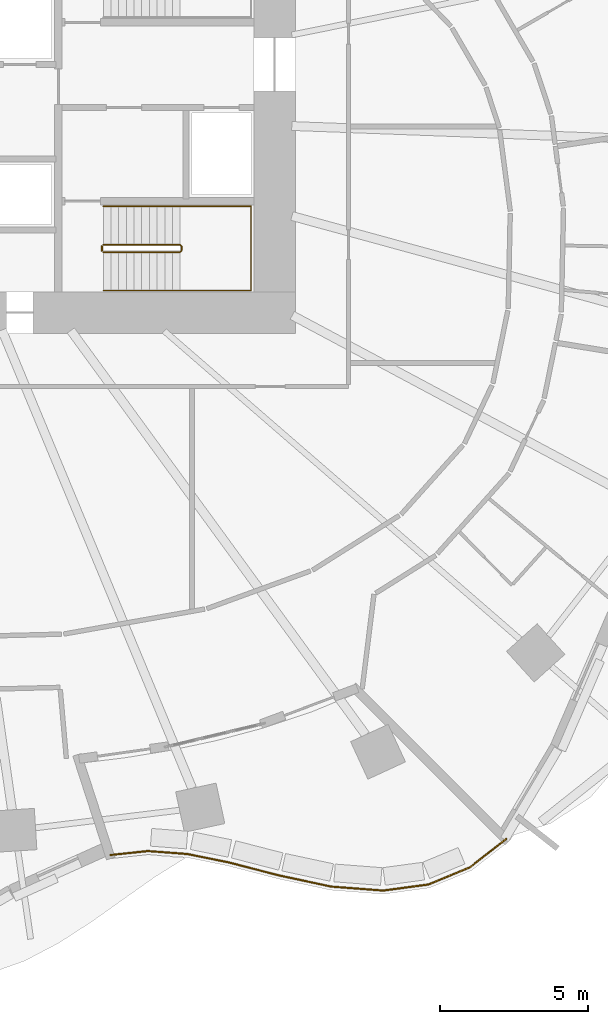
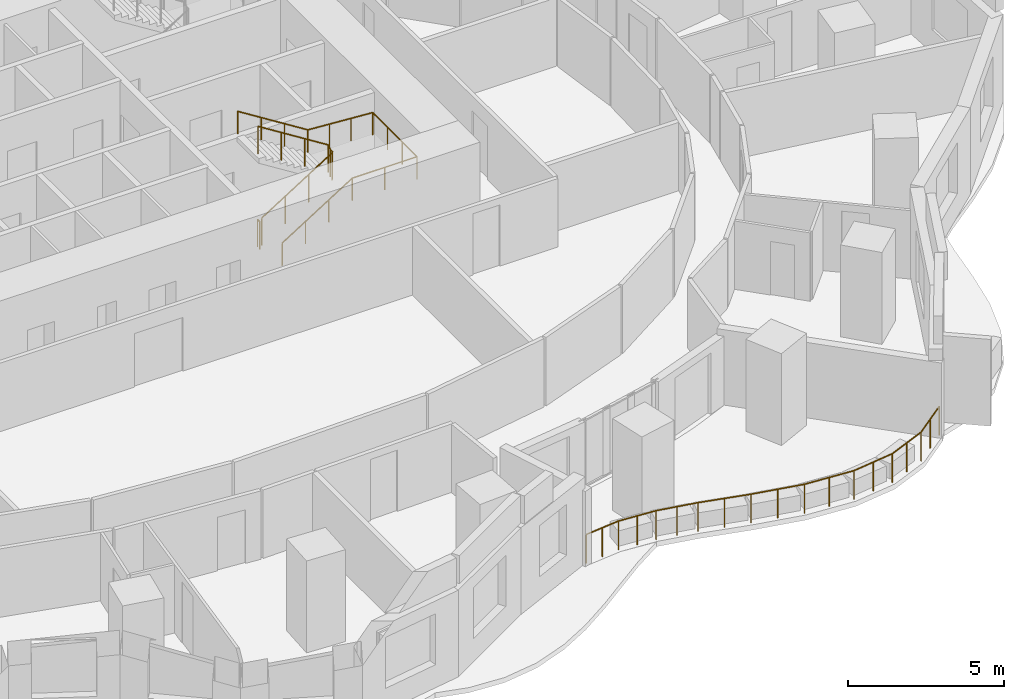
# One storey, part 13 of 14: 4 railings.
"""IFC4 building model written with IfcOpenShell, lengths in metres."""

from ifc_helpers import new_model, si_unit, direction, frame, origin, origin_2d, place, context, subcontext, project, spatial, circle, extrude, material, type_object, element, save


model = new_model("IFC4")

# Units and contexts
model_context = context("Model", 3, precision=1e-05, world=origin(), true_north=direction((0.0, 1.0)))
body_context = subcontext(model_context, "Body", "Model", "MODEL_VIEW")
ifc_project = project(units=[si_unit("LENGTHUNIT", "METRE"), si_unit("AREAUNIT", "SQUARE_METRE"), si_unit("VOLUMEUNIT", "CUBIC_METRE"), si_unit("PLANEANGLEUNIT", "RADIAN"), si_unit("MASSUNIT", "GRAM", prefix="KILO")], contexts=[model_context])

# Site, building, storey
site_placement = place(None, origin())
site = spatial("IfcSite", under=ifc_project, at=site_placement, CompositionType="ELEMENT")
building_placement = place(site_placement, origin())
building = spatial("IfcBuilding", under=site, at=building_placement, Name="Rubra Terraces Tower", CompositionType="ELEMENT")
storey_placement = place(building_placement, frame((0.0, 0.0, 44.699951171875)))
storey = spatial("IfcBuildingStorey", under=building, at=storey_placement, Name="L08", CompositionType="ELEMENT", Elevation=44.699951171875)

# Railings
ifc_material_1 = material(Name="Stainless steel", Category="steel")
railing_type_1 = type_object("IfcRailingType", Name="Core stair guard 1100", PredefinedType="GUARDRAIL", material=ifc_material_1)
railing_1_placement = place(storey_placement, frame((6.5, -0.25, 0.16357421875)))
element("IfcRailing", 1, at=railing_1_placement, inside=storey, type_object=railing_type_1, Name="L08 stair S4 guard 1", PredefinedType="GUARDRAIL", context=body_context, shape_type="SweptSolid", body=[
    extrude(circle(Radius=0.02392578125, at=origin_2d()), frame((0.0, 0.0, 1.076171875), z_axis=(0.846324394277, 0.0, 0.532667832379), x_axis=(0.0, 1.0, 0.0)), (0.0, 0.0, 1.0), 3.072265625),
    extrude(circle(Radius=0.02392578125, at=origin_2d()), frame((2.60009765625, 0.0, 2.71240234375), z_axis=(0.705375805398, 0.708833529934, 0.0), x_axis=(-0.708833529934, 0.705375805398, 0.0)), (0.0, 0.0, 1.0), 0.070556640625),
    extrude(circle(Radius=0.02392578125, at=origin_2d()), frame((2.64990234375, 0.050048828125, 2.71240234375), z_axis=(0.0, 1.0, 0.0), x_axis=(-1.0, 0.0, 0.0)), (0.0, 0.0, 1.0), 0.14990234375),
    extrude(circle(Radius=0.02392578125, at=origin_2d()), frame((2.64990234375, 0.199951171875, 2.71240234375), z_axis=(-0.279546231943, 0.280916556609, 0.91811752648), x_axis=(-0.708833529934, -0.705375805398, 0.0)), (0.0, 0.0, 1.0), 0.17822265625),
    extrude(circle(Radius=0.02392578125, at=origin_2d()), frame((2.60009765625, 0.25, 2.8759765625), z_axis=(-0.846324394277, 0.0, 0.532667832379), x_axis=(0.0, -1.0, 0.0)), (0.0, 0.0, 1.0), 3.072265625),
    extrude(circle(Radius=0.02099609375, at=origin_2d()), origin(), (0.0, 0.0, 1.0), 1.052001953125),
    extrude(circle(Radius=0.02099609375, at=origin_2d()), frame((0.86669921875, 0.0, 0.54541015625)), (0.0, 0.0, 1.0), 1.052001953125),
    extrude(circle(Radius=0.02099609375, at=origin_2d()), frame((1.7333984375, 0.0, 1.091064453125)), (0.0, 0.0, 1.0), 1.052001953125),
    extrude(circle(Radius=0.02099609375, at=origin_2d()), frame((2.60009765625, 0.0, 1.636474609375)), (0.0, 0.0, 1.0), 1.052001953125),
    extrude(circle(Radius=0.02099609375, at=origin_2d()), frame((2.64990234375, 0.050048828125, 1.636474609375)), (0.0, 0.0, 1.0), 1.052001953125),
    extrude(circle(Radius=0.02099609375, at=origin_2d()), frame((2.64990234375, 0.199951171875, 1.636474609375)), (0.0, 0.0, 1.0), 1.052001953125),
    extrude(circle(Radius=0.02099609375, at=origin_2d()), frame((2.60009765625, 0.25, 1.800048828125)), (0.0, 0.0, 1.0), 1.052001953125),
    extrude(circle(Radius=0.02099609375, at=origin_2d()), frame((1.7333984375, 0.25, 2.345458984375)), (0.0, 0.0, 1.0), 1.052001953125),
    extrude(circle(Radius=0.02099609375, at=origin_2d()), frame((0.86669921875, 0.25, 2.89111328125)), (0.0, 0.0, 1.0), 1.052001953125),
    extrude(circle(Radius=0.02099609375, at=origin_2d()), frame((0.0, 0.25, 3.4365234375)), (0.0, 0.0, 1.0), 1.052001953125),
])
railing_2_placement = place(storey_placement, frame((6.449951171875, -0.199951171875, 0.0)))
element("IfcRailing", 2, at=railing_2_placement, inside=storey, type_object=railing_type_1, Name="L08 stair S4 guard 2", PredefinedType="GUARDRAIL", context=body_context, shape_type="SweptSolid", body=[
    extrude(circle(Radius=0.02392578125, at=origin_2d()), frame((0.0, 0.0, 1.076171875), z_axis=(0.0, 1.0, 0.0), x_axis=(-1.0, 0.0, 0.0)), (0.0, 0.0, 1.0), 0.14990234375),
    extrude(circle(Radius=0.02099609375, at=origin_2d()), origin(), (0.0, 0.0, 1.0), 1.052001953125),
    extrude(circle(Radius=0.02099609375, at=origin_2d()), frame((0.0, 0.14990234375, 0.0)), (0.0, 0.0, 1.0), 1.052001953125),
])
railing_type_2 = type_object("IfcRailingType", Name="Core stair handrail 900", PredefinedType="HANDRAIL", material=ifc_material_1)
railing_3_placement = place(storey_placement, frame((6.5, -1.550048828125, 0.16357421875)))
element("IfcRailing", 3, at=railing_3_placement, inside=storey, type_object=railing_type_2, Name="L08 stair S4 handrail 1", PredefinedType="HANDRAIL", context=body_context, shape_type="SweptSolid", body=[
    extrude(circle(Radius=0.02392578125, at=origin_2d()), frame((0.0, 0.0, 0.8759765625), z_axis=(0.846324394277, 0.0, 0.532667832379), x_axis=(0.0, 1.0, 0.0)), (0.0, 0.0, 1.0), 3.072265625),
    extrude(circle(Radius=0.02392578125, at=origin_2d()), frame((2.60009765625, 0.0, 2.51220703125), z_axis=(1.0, 0.0, 0.0), x_axis=(0.0, 1.0, 0.0)), (0.0, 0.0, 1.0), 2.39990234375),
    extrude(circle(Radius=0.02392578125, at=origin_2d()), frame((5.0, 0.0, 2.51220703125), z_axis=(0.0, 1.0, 0.0), x_axis=(-1.0, 0.0, 0.0)), (0.0, 0.0, 1.0), 2.85009765625),
    extrude(circle(Radius=0.02392578125, at=origin_2d()), frame((5.0, 2.85009765625, 2.51220703125), z_axis=(-0.997685257876, 0.0, 0.068000928055), x_axis=(0.0, -1.0, 0.0)), (0.0, 0.0, 1.0), 2.405517578125),
    extrude(circle(Radius=0.02392578125, at=origin_2d()), frame((2.60009765625, 2.85009765625, 2.67578125), z_axis=(-0.846324394277, 0.0, 0.532667832379), x_axis=(0.0, -1.0, 0.0)), (0.0, 0.0, 1.0), 3.072265625),
    extrude(circle(Radius=0.02099609375, at=origin_2d()), origin(), (0.0, 0.0, 1.0), 0.851806640625),
    extrude(circle(Radius=0.02099609375, at=origin_2d()), frame((0.86669921875, 0.0, 0.54541015625)), (0.0, 0.0, 1.0), 0.851806640625),
    extrude(circle(Radius=0.02099609375, at=origin_2d()), frame((1.7333984375, 0.0, 1.091064453125)), (0.0, 0.0, 1.0), 0.851806640625),
    extrude(circle(Radius=0.02099609375, at=origin_2d()), frame((2.60009765625, 0.0, 1.636474609375)), (0.0, 0.0, 1.0), 0.851806640625),
    extrude(circle(Radius=0.02099609375, at=origin_2d()), frame((3.800048828125, 0.0, 1.636474609375)), (0.0, 0.0, 1.0), 0.851806640625),
    extrude(circle(Radius=0.02099609375, at=origin_2d()), frame((5.0, 0.0, 1.636474609375)), (0.0, 0.0, 1.0), 0.851806640625),
    extrude(circle(Radius=0.02099609375, at=origin_2d()), frame((5.0, 0.949951171875, 1.636474609375)), (0.0, 0.0, 1.0), 0.851806640625),
    extrude(circle(Radius=0.02099609375, at=origin_2d()), frame((5.0, 1.900146484375, 1.636474609375)), (0.0, 0.0, 1.0), 0.851806640625),
    extrude(circle(Radius=0.02099609375, at=origin_2d()), frame((5.0, 2.85009765625, 1.636474609375)), (0.0, 0.0, 1.0), 0.851806640625),
    extrude(circle(Radius=0.02099609375, at=origin_2d()), frame((4.199951171875, 2.85009765625, 1.69091796875)), (0.0, 0.0, 1.0), 0.851806640625),
    extrude(circle(Radius=0.02099609375, at=origin_2d()), frame((3.400146484375, 2.85009765625, 1.74560546875)), (0.0, 0.0, 1.0), 0.851806640625),
    extrude(circle(Radius=0.02099609375, at=origin_2d()), frame((2.60009765625, 2.85009765625, 1.800048828125)), (0.0, 0.0, 1.0), 0.851806640625),
    extrude(circle(Radius=0.02099609375, at=origin_2d()), frame((1.7333984375, 2.85009765625, 2.345458984375)), (0.0, 0.0, 1.0), 0.851806640625),
    extrude(circle(Radius=0.02099609375, at=origin_2d()), frame((0.86669921875, 2.85009765625, 2.89111328125)), (0.0, 0.0, 1.0), 0.851806640625),
    extrude(circle(Radius=0.02099609375, at=origin_2d()), frame((0.0, 2.85009765625, 3.4365234375)), (0.0, 0.0, 1.0), 0.851806640625),
])
ifc_material_2 = material(Name="Steel, powder-coated dark grey", Category="steel")
railing_type_3 = type_object("IfcRailingType", Name="Terrace guard 1150", PredefinedType="GUARDRAIL", material=ifc_material_2)
railing_4_placement = place(storey_placement, frame((6.7392578125, -20.65966796875, 0.0)))
element("IfcRailing", 4, at=railing_4_placement, inside=storey, type_object=railing_type_3, Name="Terrace guard L08", PredefinedType="GUARDRAIL", context=body_context, shape_type="SweptSolid", body=[
    extrude(circle(Radius=0.02392578125, at=origin_2d()), frame((0.0, 0.0, 1.1259765625), z_axis=(0.994405573716, 0.105629328134, 0.0), x_axis=(-0.105629328134, 0.994405573716, 0.0)), (0.0, 0.0, 1.0), 1.278076171875),
    extrude(circle(Radius=0.02392578125, at=origin_2d()), frame((1.27099609375, 0.135009765625, 1.1259765625), z_axis=(0.997167986735, -0.075206424127, 0.0), x_axis=(0.075206424127, 0.997167986735, 0.0)), (0.0, 0.0, 1.0), 1.3408203125),
    extrude(circle(Radius=0.02392578125, at=origin_2d()), frame((2.60791015625, 0.0341796875, 1.1259765625), z_axis=(0.979899609107, -0.199491243098, 0.0), x_axis=(0.199491243098, 0.979899609107, 0.0)), (0.0, 0.0, 1.0), 1.41845703125),
    extrude(circle(Radius=0.02392578125, at=origin_2d()), frame((3.997802734375, -0.248779296875, 1.1259765625), z_axis=(0.968321480052, -0.249706850665, 0.0), x_axis=(0.249706850665, 0.968321480052, 0.0)), (0.0, 0.0, 1.0), 1.7685546875),
    extrude(circle(Radius=0.02392578125, at=origin_2d()), frame((5.71044921875, -0.6904296875, 1.1259765625), z_axis=(0.977748836754, -0.209778960401, 0.0), x_axis=(0.209778960401, 0.977748836754, 0.0)), (0.0, 0.0, 1.0), 1.801513671875),
    extrude(circle(Radius=0.02392578125, at=origin_2d()), frame((7.471923828125, -1.068359375, 1.1259765625), z_axis=(0.997054485502, -0.076696498885, 0.0), x_axis=(0.076696498885, 0.997054485502, 0.0)), (0.0, 0.0, 1.0), 1.763427734375),
    extrude(circle(Radius=0.02392578125, at=origin_2d()), frame((9.230224609375, -1.20361328125, 1.1259765625), z_axis=(0.991062261523, 0.13340012663, 0.0), x_axis=(-0.13340012663, 0.991062261523, 0.0)), (0.0, 0.0, 1.0), 1.552001953125),
    extrude(circle(Radius=0.02392578125, at=origin_2d()), frame((10.768310546875, -0.99658203125, 1.1259765625), z_axis=(0.923760141418, 0.382971540884, 0.0), x_axis=(-0.382971540884, 0.923760141418, 0.0)), (0.0, 0.0, 1.0), 1.51904296875),
    extrude(circle(Radius=0.02392578125, at=origin_2d()), frame((12.171630859375, -0.414794921875, 1.1259765625), z_axis=(0.788041023007, 0.615622730297, 0.0), x_axis=(-0.615622730297, 0.788041023007, 0.0)), (0.0, 0.0, 1.0), 1.55615234375),
    extrude(circle(Radius=0.02099609375, at=origin_2d()), origin(), (0.0, 0.0, 1.0), 1.101806640625),
    extrude(circle(Radius=0.02099609375, at=origin_2d()), frame((0.635498046875, 0.0673828125, 0.0)), (0.0, 0.0, 1.0), 1.101806640625),
    extrude(circle(Radius=0.02099609375, at=origin_2d()), frame((1.27099609375, 0.135009765625, 0.0)), (0.0, 0.0, 1.0), 1.101806640625),
    extrude(circle(Radius=0.02099609375, at=origin_2d()), frame((1.939453125, 0.08447265625, 0.0)), (0.0, 0.0, 1.0), 1.101806640625),
    extrude(circle(Radius=0.02099609375, at=origin_2d()), frame((2.60791015625, 0.0341796875, 0.0)), (0.0, 0.0, 1.0), 1.101806640625),
    extrude(circle(Radius=0.02099609375, at=origin_2d()), frame((3.302734375, -0.107421875, 0.0)), (0.0, 0.0, 1.0), 1.101806640625),
    extrude(circle(Radius=0.02099609375, at=origin_2d()), frame((3.997802734375, -0.248779296875, 0.0)), (0.0, 0.0, 1.0), 1.101806640625),
    extrude(circle(Radius=0.02099609375, at=origin_2d()), frame((4.85400390625, -0.4697265625, 0.0)), (0.0, 0.0, 1.0), 1.101806640625),
    extrude(circle(Radius=0.02099609375, at=origin_2d()), frame((5.71044921875, -0.6904296875, 0.0)), (0.0, 0.0, 1.0), 1.101806640625),
    extrude(circle(Radius=0.02099609375, at=origin_2d()), frame((6.59130859375, -0.87939453125, 0.0)), (0.0, 0.0, 1.0), 1.101806640625),
    extrude(circle(Radius=0.02099609375, at=origin_2d()), frame((7.471923828125, -1.068359375, 0.0)), (0.0, 0.0, 1.0), 1.101806640625),
    extrude(circle(Radius=0.02099609375, at=origin_2d()), frame((8.35107421875, -1.135986328125, 0.0)), (0.0, 0.0, 1.0), 1.101806640625),
    extrude(circle(Radius=0.02099609375, at=origin_2d()), frame((9.230224609375, -1.20361328125, 0.0)), (0.0, 0.0, 1.0), 1.101806640625),
    extrude(circle(Radius=0.02099609375, at=origin_2d()), frame((9.999267578125, -1.10009765625, 0.0)), (0.0, 0.0, 1.0), 1.101806640625),
    extrude(circle(Radius=0.02099609375, at=origin_2d()), frame((10.768310546875, -0.99658203125, 0.0)), (0.0, 0.0, 1.0), 1.101806640625),
    extrude(circle(Radius=0.02099609375, at=origin_2d()), frame((11.469970703125, -0.70556640625, 0.0)), (0.0, 0.0, 1.0), 1.101806640625),
    extrude(circle(Radius=0.02099609375, at=origin_2d()), frame((12.171630859375, -0.414794921875, 0.0)), (0.0, 0.0, 1.0), 1.101806640625),
    extrude(circle(Radius=0.02099609375, at=origin_2d()), frame((12.78466796875, 0.064208984375, 0.0)), (0.0, 0.0, 1.0), 1.101806640625),
    extrude(circle(Radius=0.02099609375, at=origin_2d()), frame((13.39794921875, 0.543212890625, 0.0)), (0.0, 0.0, 1.0), 1.101806640625),
])

save(model, "model.ifc")
